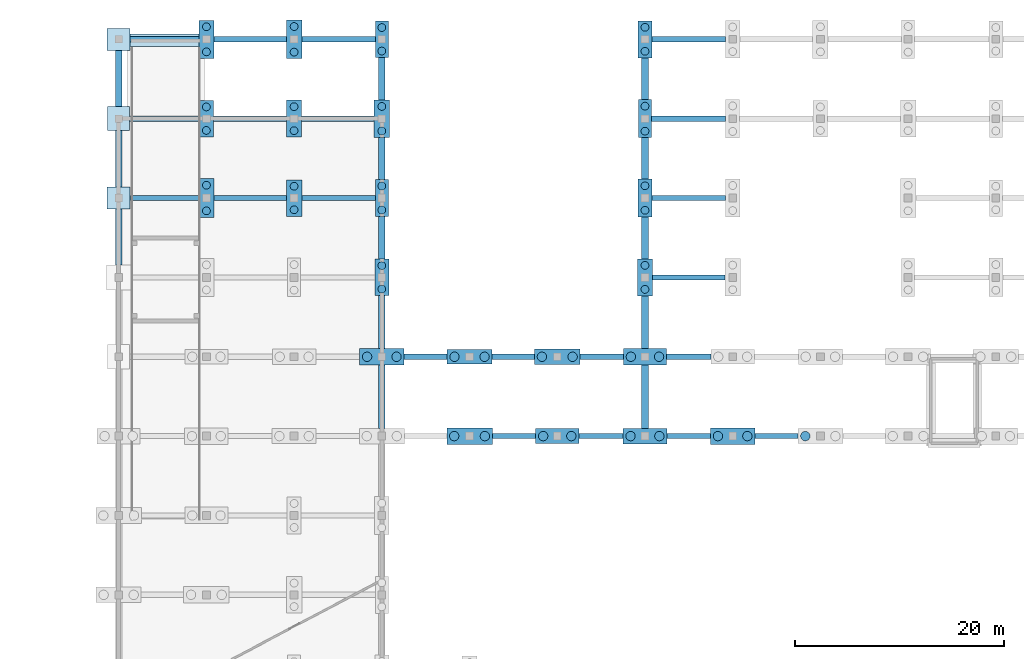
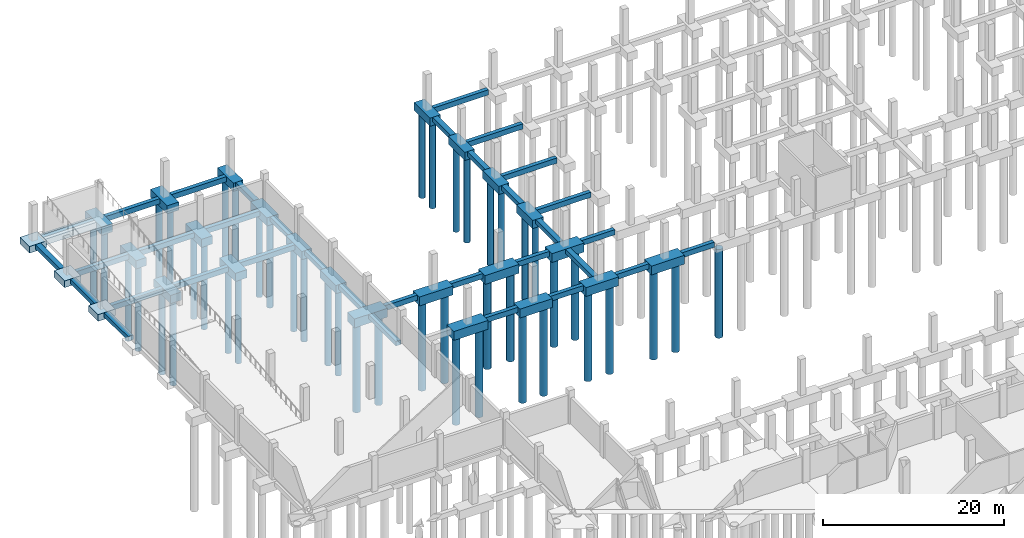
# One storey, part 6 of 22: 60 footings, 45 piles.
"""IFC4 building model written with IfcOpenShell, lengths in metres."""

from ifc_helpers import new_model, si_unit, direction, frame, origin, origin_2d, place, context, subcontext, project, spatial, rectangle, circle, extrude, material, material_profile, profile_set, type_object, element, save


model = new_model("IFC4")

# Units and contexts
model_context = context("Model", 3, precision=1e-05, world=origin(), true_north=direction((0.0, 1.0)))
body_context = subcontext(model_context, "Body", "Model", "MODEL_VIEW")
ifc_project = project(units=[si_unit("LENGTHUNIT", "METRE"), si_unit("AREAUNIT", "SQUARE_METRE"), si_unit("VOLUMEUNIT", "CUBIC_METRE"), si_unit("PLANEANGLEUNIT", "RADIAN"), si_unit("MASSUNIT", "GRAM", prefix="KILO")], contexts=[model_context])

# Site, building, storey
site_placement = place(None, origin())
site = spatial("IfcSite", under=ifc_project, at=site_placement, CompositionType="ELEMENT")
building_placement = place(site_placement, origin())
building = spatial("IfcBuilding", under=site, at=building_placement, Name="Zuvorla Pavilion Media Centre", CompositionType="ELEMENT")
storey_placement = place(building_placement, frame((0.0, 0.0, -4.5)))
storey = spatial("IfcBuildingStorey", under=building, at=storey_placement, Name="B01", CompositionType="ELEMENT", Elevation=-4.5)

# Footings
ifc_material = material(Name="Concrete C40/50", Category="concrete")
footing_type_1 = type_object("IfcFootingType", Name="FT-GB56", PredefinedType="FOOTING_BEAM", material=ifc_material)
footing_1_placement = place(storey_placement, frame((54.260009765625, 82.0, -1.10009765625), z_axis=(0.0, 0.0, 1.0), x_axis=(1.0, 0.0, 0.0)))
element("IfcFooting", 1, at=footing_1_placement, inside=storey, type_object=footing_type_1, Name="Ground beam GB56 132", PredefinedType="FOOTING_BEAM", context=body_context, shape_type="SweptSolid", body=[
    extrude(rectangle(XDim=4.159912109375, YDim=0.5, at=origin_2d()), origin(), (0.0, 0.0, 1.0), 0.699951171875),
])
footing_2_placement = place(storey_placement, frame((62.5849609375, 82.0, -1.10009765625), z_axis=(0.0, 0.0, 1.0), x_axis=(1.0, 0.0, 0.0)))
element("IfcFooting", 2, at=footing_2_placement, inside=storey, type_object=footing_type_1, Name="Ground beam GB56 133", PredefinedType="FOOTING_BEAM", context=body_context, shape_type="SweptSolid", body=[
    extrude(rectangle(XDim=4.25, YDim=0.5, at=origin_2d()), origin(), (0.0, 0.0, 1.0), 0.699951171875),
])
footing_3_placement = place(storey_placement, frame((70.985107421875, 82.0, -1.10009765625), z_axis=(0.0, 0.0, 1.0), x_axis=(1.0, 0.0, 0.0)))
element("IfcFooting", 3, at=footing_3_placement, inside=storey, type_object=footing_type_1, Name="Ground beam GB56 134", PredefinedType="FOOTING_BEAM", context=body_context, shape_type="SweptSolid", body=[
    extrude(rectangle(XDim=4.18994140625, YDim=0.5, at=origin_2d()), origin(), (0.0, 0.0, 1.0), 0.699951171875),
])
for number, where, z_axis, x_axis, name in (
    (4, (79.385009765625, 82.0, -1.10009765625), (0.0, 0.0, 1.0), (1.0, 0.0, 0.0), "Ground beam GB56 135"),
    (5, (45.784912109375, 89.60009765625, -1.10009765625), (0.0, 0.0, 1.0), (1.0, 0.0, 0.0), "Ground beam GB56 149"),
):
    element("IfcFooting", number, at=place(storey_placement, frame(where, z_axis=z_axis, x_axis=x_axis)), inside=storey, type_object=footing_type_1, Name=name, PredefinedType="FOOTING_BEAM", context=body_context, shape_type="SweptSolid", body=[
        extrude(rectangle(XDim=4.1298828125, YDim=0.5, at=origin_2d()), origin(), (0.0, 0.0, 1.0), 0.699951171875),
    ])
footing_4_placement = place(storey_placement, frame((54.18505859375, 89.60009765625, -1.10009765625), z_axis=(0.0, 0.0, 1.0), x_axis=(1.0, 0.0, 0.0)))
element("IfcFooting", 6, at=footing_4_placement, inside=storey, type_object=footing_type_1, Name="Ground beam GB56 150", PredefinedType="FOOTING_BEAM", context=body_context, shape_type="SweptSolid", body=[
    extrude(rectangle(XDim=4.070068359375, YDim=0.5, at=origin_2d()), origin(), (0.0, 0.0, 1.0), 0.699951171875),
])
footing_5_placement = place(storey_placement, frame((62.659912109375, 89.60009765625, -1.10009765625), z_axis=(0.0, 0.0, 1.0), x_axis=(1.0, 0.0, 0.0)))
element("IfcFooting", 7, at=footing_5_placement, inside=storey, type_object=footing_type_1, Name="Ground beam GB56 151", PredefinedType="FOOTING_BEAM", context=body_context, shape_type="SweptSolid", body=[
    extrude(rectangle(XDim=4.159912109375, YDim=0.5, at=origin_2d()), origin(), (0.0, 0.0, 1.0), 0.699951171875),
])
footing_6_placement = place(storey_placement, frame((70.985107421875, 89.60009765625, -1.10009765625), z_axis=(0.0, 0.0, 1.0), x_axis=(1.0, 0.0, 0.0)))
element("IfcFooting", 8, at=footing_6_placement, inside=storey, type_object=footing_type_1, Name="Ground beam GB56 152", PredefinedType="FOOTING_BEAM", context=body_context, shape_type="SweptSolid", body=[
    extrude(rectangle(XDim=4.25, YDim=0.5, at=origin_2d()), origin(), (0.0, 0.0, 1.0), 0.699951171875),
])
footing_7_placement = place(storey_placement, frame((70.97998046875, 97.199951171875, -1.10009765625), z_axis=(0.0, 0.0, 1.0), x_axis=(1.0, 0.0, 0.0)))
element("IfcFooting", 9, at=footing_7_placement, inside=storey, type_object=footing_type_1, Name="Ground beam GB56 166", PredefinedType="FOOTING_BEAM", context=body_context, shape_type="SweptSolid", body=[
    extrude(rectangle(XDim=6.949951171875, YDim=0.5, at=origin_2d()), origin(), (0.0, 0.0, 1.0), 0.699951171875),
])
footing_8_placement = place(storey_placement, frame((20.797607421875, 104.800048828125, -1.10009765625), z_axis=(0.0, 0.0, 1.0), x_axis=(1.0, 0.0, 0.0)))
element("IfcFooting", 10, at=footing_8_placement, inside=storey, type_object=footing_type_1, Name="Ground beam GB56 170", PredefinedType="FOOTING_BEAM", context=body_context, shape_type="SweptSolid", body=[
    extrude(rectangle(XDim=6.594970703125, YDim=0.5, at=origin_2d()), origin(), (0.0, 0.0, 1.0), 0.699951171875),
])
footing_9_placement = place(storey_placement, frame((28.97998046875, 104.800048828125, -1.10009765625), z_axis=(0.0, 0.0, 1.0), x_axis=(1.0, 0.0, 0.0)))
element("IfcFooting", 11, at=footing_9_placement, inside=storey, type_object=footing_type_1, Name="Ground beam GB56 171", PredefinedType="FOOTING_BEAM", context=body_context, shape_type="SweptSolid", body=[
    extrude(rectangle(XDim=6.949951171875, YDim=0.5, at=origin_2d()), origin(), (0.0, 0.0, 1.0), 0.699951171875),
])
for number, where, z_axis, x_axis, name in (
    (12, (37.4599609375, 104.800048828125, -1.10009765625), (0.0, 0.0, 1.0), (1.0, 0.0, 0.0), "Ground beam GB56 172"),
    (13, (70.97998046875, 104.800048828125, -1.10009765625), (0.0, 0.0, 1.0), (1.0, 0.0, 0.0), "Ground beam GB56 173"),
):
    element("IfcFooting", number, at=place(storey_placement, frame(where, z_axis=z_axis, x_axis=x_axis)), inside=storey, type_object=footing_type_1, Name=name, PredefinedType="FOOTING_BEAM", context=body_context, shape_type="SweptSolid", body=[
        extrude(rectangle(XDim=7.030029296875, YDim=0.5, at=origin_2d()), origin(), (0.0, 0.0, 1.0), 0.699951171875),
    ])
footing_10_placement = place(storey_placement, frame((20.79248046875, 112.39990234375, -1.10009765625), z_axis=(0.0, 0.0, 1.0), x_axis=(1.0, 0.0, 0.0)))
element("IfcFooting", 14, at=footing_10_placement, inside=storey, type_object=footing_type_1, Name="Ground beam GB56 177", PredefinedType="FOOTING_BEAM", context=body_context, shape_type="SweptSolid", body=[
    extrude(rectangle(XDim=6.68505859375, YDim=0.5, at=origin_2d()), origin(), (0.0, 0.0, 1.0), 0.699951171875),
])
footing_11_placement = place(storey_placement, frame((28.97998046875, 112.39990234375, -1.10009765625), z_axis=(0.0, 0.0, 1.0), x_axis=(1.0, 0.0, 0.0)))
element("IfcFooting", 15, at=footing_11_placement, inside=storey, type_object=footing_type_1, Name="Ground beam GB56 178", PredefinedType="FOOTING_BEAM", context=body_context, shape_type="SweptSolid", body=[
    extrude(rectangle(XDim=7.030029296875, YDim=0.5, at=origin_2d()), origin(), (0.0, 0.0, 1.0), 0.699951171875),
])
footing_12_placement = place(storey_placement, frame((37.3798828125, 112.39990234375, -1.10009765625), z_axis=(0.0, 0.0, 1.0), x_axis=(1.0, 0.0, 0.0)))
element("IfcFooting", 16, at=footing_12_placement, inside=storey, type_object=footing_type_1, Name="Ground beam GB56 179", PredefinedType="FOOTING_BEAM", context=body_context, shape_type="SweptSolid", body=[
    extrude(rectangle(XDim=6.949951171875, YDim=0.5, at=origin_2d()), origin(), (0.0, 0.0, 1.0), 0.699951171875),
])
footing_13_placement = place(storey_placement, frame((70.97998046875, 112.39990234375, -1.10009765625), z_axis=(0.0, 0.0, 1.0), x_axis=(1.0, 0.0, 0.0)))
element("IfcFooting", 17, at=footing_13_placement, inside=storey, type_object=footing_type_1, Name="Ground beam GB56 180", PredefinedType="FOOTING_BEAM", context=body_context, shape_type="SweptSolid", body=[
    extrude(rectangle(XDim=7.110107421875, YDim=0.5, at=origin_2d()), origin(), (0.0, 0.0, 1.0), 0.699951171875),
])
footing_14_placement = place(storey_placement, frame((20.797607421875, 120.0, -1.10009765625), z_axis=(0.0, 0.0, 1.0), x_axis=(1.0, 0.0, 0.0)))
element("IfcFooting", 18, at=footing_14_placement, inside=storey, type_object=footing_type_1, Name="Ground beam GB56 188", PredefinedType="FOOTING_BEAM", context=body_context, shape_type="SweptSolid", body=[
    extrude(rectangle(XDim=6.594970703125, YDim=0.5, at=origin_2d()), origin(), (0.0, 0.0, 1.0), 0.699951171875),
])
footing_15_placement = place(storey_placement, frame((28.97998046875, 120.0, -1.10009765625), z_axis=(0.0, 0.0, 1.0), x_axis=(1.0, 0.0, 0.0)))
element("IfcFooting", 19, at=footing_15_placement, inside=storey, type_object=footing_type_1, Name="Ground beam GB56 189", PredefinedType="FOOTING_BEAM", context=body_context, shape_type="SweptSolid", body=[
    extrude(rectangle(XDim=6.949951171875, YDim=0.5, at=origin_2d()), origin(), (0.0, 0.0, 1.0), 0.699951171875),
])
for number, where, z_axis, x_axis, name in (
    (20, (37.4599609375, 120.0, -1.10009765625), (0.0, 0.0, 1.0), (1.0, 0.0, 0.0), "Ground beam GB56 190"),
    (21, (70.97998046875, 120.0, -1.10009765625), (0.0, 0.0, 1.0), (1.0, 0.0, 0.0), "Ground beam GB56 191"),
):
    element("IfcFooting", number, at=place(storey_placement, frame(where, z_axis=z_axis, x_axis=x_axis)), inside=storey, type_object=footing_type_1, Name=name, PredefinedType="FOOTING_BEAM", context=body_context, shape_type="SweptSolid", body=[
        extrude(rectangle(XDim=7.030029296875, YDim=0.5, at=origin_2d()), origin(), (0.0, 0.0, 1.0), 0.699951171875),
    ])
footing_type_2 = type_object("IfcFootingType", Name="FT-PC05", PredefinedType="PILE_CAP", material=ifc_material)
footing_16_placement = place(storey_placement, frame((58.39990234375, 89.60009765625, -1.60009765625), z_axis=(0.0, 0.0, 1.0), x_axis=(1.0, 0.0, 0.0)))
element("IfcFooting", 22, at=footing_16_placement, inside=storey, type_object=footing_type_2, Name="Pile cap PC05", PredefinedType="PILE_CAP", context=body_context, shape_type="SweptSolid", body=[
    extrude(rectangle(XDim=4.360107421875, YDim=1.5, at=origin_2d()), origin(), (0.0, 0.0, 1.0), 1.199951171875),
])
footing_type_3 = type_object("IfcFootingType", Name="FT-PC06", PredefinedType="PILE_CAP", material=ifc_material)
footing_17_placement = place(storey_placement, frame((66.800048828125, 89.60009765625, -1.60009765625), z_axis=(0.0, 0.0, 1.0), x_axis=(1.0, 0.0, 0.0)))
element("IfcFooting", 23, at=footing_17_placement, inside=storey, type_object=footing_type_3, Name="Pile cap PC06", PredefinedType="PILE_CAP", context=body_context, shape_type="SweptSolid", body=[
    extrude(rectangle(XDim=4.1201171875, YDim=1.580078125, at=origin_2d()), origin(), (0.0, 0.0, 1.0), 1.199951171875),
])
footing_type_4 = type_object("IfcFootingType", Name="FT-PC15", PredefinedType="PILE_CAP", material=ifc_material)
footing_18_placement = place(storey_placement, frame((50.0, 82.0, -1.60009765625), z_axis=(0.0, 0.0, 1.0), x_axis=(1.0, 0.0, 0.0)))
element("IfcFooting", 24, at=footing_18_placement, inside=storey, type_object=footing_type_4, Name="Pile cap PC15", PredefinedType="PILE_CAP", context=body_context, shape_type="SweptSolid", body=[
    extrude(rectangle(XDim=4.360107421875, YDim=1.580078125, at=origin_2d()), origin(), (0.0, 0.0, 1.0), 1.199951171875),
])
footing_type_5 = type_object("IfcFootingType", Name="FT-PC16", PredefinedType="PILE_CAP", material=ifc_material)
footing_19_placement = place(storey_placement, frame((58.39990234375, 82.0, -1.60009765625), z_axis=(0.0, 0.0, 1.0), x_axis=(1.0, 0.0, 0.0)))
element("IfcFooting", 25, at=footing_19_placement, inside=storey, type_object=footing_type_5, Name="Pile cap PC16", PredefinedType="PILE_CAP", context=body_context, shape_type="SweptSolid", body=[
    extrude(rectangle(XDim=4.1201171875, YDim=1.419921875, at=origin_2d()), origin(), (0.0, 0.0, 1.0), 1.199951171875),
])
footing_type_6 = type_object("IfcFootingType", Name="FT-PC17", PredefinedType="PILE_CAP", material=ifc_material)
footing_20_placement = place(storey_placement, frame((66.800048828125, 82.0, -1.60009765625), z_axis=(0.0, 0.0, 1.0), x_axis=(1.0, 0.0, 0.0)))
element("IfcFooting", 26, at=footing_20_placement, inside=storey, type_object=footing_type_6, Name="Pile cap PC17", PredefinedType="PILE_CAP", context=body_context, shape_type="SweptSolid", body=[
    extrude(rectangle(XDim=4.179931640625, YDim=1.5, at=origin_2d()), origin(), (0.0, 0.0, 1.0), 1.199951171875),
])
footing_type_7 = type_object("IfcFootingType", Name="FT-PC18", PredefinedType="PILE_CAP", material=ifc_material)
for number, where, z_axis, x_axis, name in (
    (27, (75.199951171875, 82.0, -1.60009765625), (0.0, 0.0, 1.0), (1.0, 0.0, 0.0), "Pile cap PC18"),
    (28, (41.60009765625, 89.60009765625, -1.60009765625), (0.0, 0.0, 1.0), (1.0, 0.0, 0.0), "Pile cap PC18"),
):
    element("IfcFooting", number, at=place(storey_placement, frame(where, z_axis=z_axis, x_axis=x_axis)), inside=storey, type_object=footing_type_7, Name=name, PredefinedType="PILE_CAP", context=body_context, shape_type="SweptSolid", body=[
        extrude(rectangle(XDim=4.239990234375, YDim=1.580078125, at=origin_2d()), origin(), (0.0, 0.0, 1.0), 1.199951171875),
    ])
footing_type_8 = type_object("IfcFootingType", Name="FT-PC30", PredefinedType="PILE_CAP", material=ifc_material)
footing_21_placement = place(storey_placement, frame((50.0, 89.60009765625, -1.60009765625), z_axis=(0.0, 0.0, 1.0), x_axis=(1.0, 0.0, 0.0)))
element("IfcFooting", 29, at=footing_21_placement, inside=storey, type_object=footing_type_8, Name="Pile cap PC30", PredefinedType="PILE_CAP", context=body_context, shape_type="SweptSolid", body=[
    extrude(rectangle(XDim=4.300048828125, YDim=1.419921875, at=origin_2d()), origin(), (0.0, 0.0, 1.0), 1.199951171875),
])
footing_type_9 = type_object("IfcFootingType", Name="FT-PC38", PredefinedType="PILE_CAP", material=ifc_material)
footing_22_placement = place(storey_placement, frame((24.800048828125, 120.0, -1.5), z_axis=(0.0, 0.0, 1.0), x_axis=(1.0, 0.0, 0.0)))
element("IfcFooting", 30, at=footing_22_placement, inside=storey, type_object=footing_type_9, Name="Pile cap PC38", PredefinedType="PILE_CAP", context=body_context, shape_type="SweptSolid", body=[
    extrude(rectangle(XDim=1.409912109375, YDim=3.64990234375, at=origin_2d()), origin(), (0.0, 0.0, 1.0), 1.10009765625),
])
footing_type_10 = type_object("IfcFootingType", Name="FT-PC39", PredefinedType="PILE_CAP", material=ifc_material)
footing_23_placement = place(storey_placement, frame((33.199951171875, 120.0, -1.5), z_axis=(0.0, 0.0, 1.0), x_axis=(1.0, 0.0, 0.0)))
element("IfcFooting", 31, at=footing_23_placement, inside=storey, type_object=footing_type_10, Name="Pile cap PC39", PredefinedType="PILE_CAP", context=body_context, shape_type="SweptSolid", body=[
    extrude(rectangle(XDim=1.489990234375, YDim=3.699951171875, at=origin_2d()), origin(), (0.0, 0.0, 1.0), 1.10009765625),
])
footing_type_11 = type_object("IfcFootingType", Name="FT-PC41", PredefinedType="PILE_CAP", material=ifc_material)
footing_24_placement = place(storey_placement, frame((24.800048828125, 104.800048828125, -1.5), z_axis=(0.0, 0.0, 1.0), x_axis=(1.0, 0.0, 0.0)))
element("IfcFooting", 32, at=footing_24_placement, inside=storey, type_object=footing_type_11, Name="Pile cap PC41", PredefinedType="PILE_CAP", context=body_context, shape_type="SweptSolid", body=[
    extrude(rectangle(XDim=1.409912109375, YDim=3.699951171875, at=origin_2d()), origin(), (0.0, 0.0, 1.0), 1.10009765625),
])
footing_type_12 = type_object("IfcFootingType", Name="FT-PC42", PredefinedType="PILE_CAP", material=ifc_material)
footing_25_placement = place(storey_placement, frame((66.800048828125, 112.39990234375, -1.5), z_axis=(0.0, 0.0, 1.0), x_axis=(1.0, 0.0, 0.0)))
element("IfcFooting", 33, at=footing_25_placement, inside=storey, type_object=footing_type_12, Name="Pile cap PC42", PredefinedType="PILE_CAP", context=body_context, shape_type="SweptSolid", body=[
    extrude(rectangle(XDim=1.25, YDim=3.64990234375, at=origin_2d()), origin(), (0.0, 0.0, 1.0), 1.10009765625),
])
footing_type_13 = type_object("IfcFootingType", Name="FT-PC45", PredefinedType="PILE_CAP", material=ifc_material)
footing_26_placement = place(storey_placement, frame((33.199951171875, 104.800048828125, -1.5), z_axis=(0.0, 0.0, 1.0), x_axis=(1.0, 0.0, 0.0)))
element("IfcFooting", 34, at=footing_26_placement, inside=storey, type_object=footing_type_13, Name="Pile cap PC45", PredefinedType="PILE_CAP", context=body_context, shape_type="SweptSolid", body=[
    extrude(rectangle(XDim=1.489990234375, YDim=3.5, at=origin_2d()), origin(), (0.0, 0.0, 1.0), 1.10009765625),
])
footing_type_14 = type_object("IfcFootingType", Name="FT-PC46", PredefinedType="PILE_CAP", material=ifc_material)
footing_27_placement = place(storey_placement, frame((41.60009765625, 104.800048828125, -1.5), z_axis=(0.0, 0.0, 1.0), x_axis=(1.0, 0.0, 0.0)))
element("IfcFooting", 35, at=footing_27_placement, inside=storey, type_object=footing_type_14, Name="Pile cap PC46", PredefinedType="PILE_CAP", context=body_context, shape_type="SweptSolid", body=[
    extrude(rectangle(XDim=1.25, YDim=3.550048828125, at=origin_2d()), origin(), (0.0, 0.0, 1.0), 1.10009765625),
])
footing_type_15 = type_object("IfcFootingType", Name="FT-PC47", PredefinedType="PILE_CAP", material=ifc_material)
footing_28_placement = place(storey_placement, frame((66.800048828125, 120.0, -1.5), z_axis=(0.0, 0.0, 1.0), x_axis=(1.0, 0.0, 0.0)))
element("IfcFooting", 36, at=footing_28_placement, inside=storey, type_object=footing_type_15, Name="Pile cap PC47", PredefinedType="PILE_CAP", context=body_context, shape_type="SweptSolid", body=[
    extrude(rectangle(XDim=1.330078125, YDim=3.550048828125, at=origin_2d()), origin(), (0.0, 0.0, 1.0), 1.10009765625),
])
footing_type_16 = type_object("IfcFootingType", Name="FT-PC49", PredefinedType="PILE_CAP", material=ifc_material)
for number, where, z_axis, x_axis, name in (
    (37, (41.60009765625, 97.199951171875, -1.5), (0.0, 0.0, 1.0), (1.0, 0.0, 0.0), "Pile cap PC49"),
    (38, (24.800048828125, 112.39990234375, -1.5), (0.0, 0.0, 1.0), (1.0, 0.0, 0.0), "Pile cap PC49"),
):
    element("IfcFooting", number, at=place(storey_placement, frame(where, z_axis=z_axis, x_axis=x_axis)), inside=storey, type_object=footing_type_16, Name=name, PredefinedType="PILE_CAP", context=body_context, shape_type="SweptSolid", body=[
        extrude(rectangle(XDim=1.330078125, YDim=3.5, at=origin_2d()), origin(), (0.0, 0.0, 1.0), 1.10009765625),
    ])
footing_type_17 = type_object("IfcFootingType", Name="FT-PC50", PredefinedType="PILE_CAP", material=ifc_material)
for number, where, z_axis, x_axis, name in (
    (39, (66.800048828125, 97.199951171875, -1.5), (0.0, 0.0, 1.0), (1.0, 0.0, 0.0), "Pile cap PC50"),
    (40, (33.199951171875, 112.39990234375, -1.5), (0.0, 0.0, 1.0), (1.0, 0.0, 0.0), "Pile cap PC50"),
):
    element("IfcFooting", number, at=place(storey_placement, frame(where, z_axis=z_axis, x_axis=x_axis)), inside=storey, type_object=footing_type_17, Name=name, PredefinedType="PILE_CAP", context=body_context, shape_type="SweptSolid", body=[
        extrude(rectangle(XDim=1.409912109375, YDim=3.550048828125, at=origin_2d()), origin(), (0.0, 0.0, 1.0), 1.10009765625),
    ])
footing_type_18 = type_object("IfcFootingType", Name="FT-PC51", PredefinedType="PILE_CAP", material=ifc_material)
footing_29_placement = place(storey_placement, frame((41.60009765625, 112.39990234375, -1.5), z_axis=(0.0, 0.0, 1.0), x_axis=(1.0, 0.0, 0.0)))
element("IfcFooting", 41, at=footing_29_placement, inside=storey, type_object=footing_type_18, Name="Pile cap PC51", PredefinedType="PILE_CAP", context=body_context, shape_type="SweptSolid", body=[
    extrude(rectangle(XDim=1.489990234375, YDim=3.60009765625, at=origin_2d()), origin(), (0.0, 0.0, 1.0), 1.10009765625),
])
footing_type_19 = type_object("IfcFootingType", Name="FT-PC54", PredefinedType="PILE_CAP", material=ifc_material)
footing_30_placement = place(storey_placement, frame((66.800048828125, 104.800048828125, -1.5), z_axis=(0.0, 0.0, 1.0), x_axis=(1.0, 0.0, 0.0)))
element("IfcFooting", 42, at=footing_30_placement, inside=storey, type_object=footing_type_19, Name="Pile cap PC54", PredefinedType="PILE_CAP", context=body_context, shape_type="SweptSolid", body=[
    extrude(rectangle(XDim=1.330078125, YDim=3.60009765625, at=origin_2d()), origin(), (0.0, 0.0, 1.0), 1.10009765625),
])
footing_type_20 = type_object("IfcFootingType", Name="FT-PC55", PredefinedType="PILE_CAP", material=ifc_material)
footing_31_placement = place(storey_placement, frame((41.60009765625, 120.0, -1.5), z_axis=(0.0, 0.0, 1.0), x_axis=(1.0, 0.0, 0.0)))
element("IfcFooting", 43, at=footing_31_placement, inside=storey, type_object=footing_type_20, Name="Pile cap PC55", PredefinedType="PILE_CAP", context=body_context, shape_type="SweptSolid", body=[
    extrude(rectangle(XDim=1.25, YDim=3.5, at=origin_2d()), origin(), (0.0, 0.0, 1.0), 1.10009765625),
])
footing_type_21 = type_object("IfcFootingType", Name="FT-PF02", PredefinedType="PAD_FOOTING", material=ifc_material)
for number, where, z_axis, x_axis, name in (
    (44, (16.39990234375, 104.800048828125, -1.300048828125), (0.0, 0.0, 1.0), (1.0, 0.0, 0.0), "Pad footing PF02"),
    (45, (16.39990234375, 120.0, -1.300048828125), (0.0, 0.0, 1.0), (1.0, 0.0, 0.0), "Pad footing PF02"),
):
    element("IfcFooting", number, at=place(storey_placement, frame(where, z_axis=z_axis, x_axis=x_axis)), inside=storey, type_object=footing_type_21, Name=name, PredefinedType="PAD_FOOTING", context=body_context, shape_type="SweptSolid", body=[
        extrude(rectangle(XDim=2.199951171875, YDim=2.10009765625, at=origin_2d()), origin(), (0.0, 0.0, 1.0), 0.89990234375),
    ])
footing_type_22 = type_object("IfcFootingType", Name="FT-PF21", PredefinedType="PAD_FOOTING", material=ifc_material)
footing_32_placement = place(storey_placement, frame((16.39990234375, 112.39990234375, -1.300048828125), z_axis=(0.0, 0.0, 1.0), x_axis=(1.0, 0.0, 0.0)))
element("IfcFooting", 46, at=footing_32_placement, inside=storey, type_object=footing_type_22, Name="Pad footing PF21", PredefinedType="PAD_FOOTING", context=body_context, shape_type="SweptSolid", body=[
    extrude(rectangle(XDim=2.10009765625, YDim=2.300048828125, at=origin_2d()), origin(), (0.0, 0.0, 1.0), 0.89990234375),
])
footing_type_23 = type_object("IfcFootingType", Name="FT-SF-COR", PredefinedType="STRIP_FOOTING", material=ifc_material)
footing_33_placement = place(storey_placement, frame((20.89990234375, 119.89990234375, -1.2001953125), z_axis=(0.0, 0.0, 1.0), x_axis=(1.0, 0.0, 0.0)))
element("IfcFooting", 47, at=footing_33_placement, inside=storey, type_object=footing_type_23, Name="Ramp north bearing strip footing", PredefinedType="STRIP_FOOTING", context=body_context, shape_type="SweptSolid", body=[
    extrude(rectangle(XDim=7.39990234375, YDim=1.199951171875, at=origin_2d()), origin(), (0.0, 0.0, 1.0), 0.800048828125),
])
footing_type_24 = type_object("IfcFootingType", Name="FT-SF57", PredefinedType="STRIP_FOOTING", material=ifc_material)
footing_34_placement = place(storey_placement, frame((16.39990234375, 101.074951171875, -1.0), z_axis=(0.0, 0.0, 1.0), x_axis=(0.0, 1.0, 0.0)))
element("IfcFooting", 48, at=footing_34_placement, inside=storey, type_object=footing_type_24, Name="Strip footing SF57 9", PredefinedType="STRIP_FOOTING", context=body_context, shape_type="SweptSolid", body=[
    extrude(rectangle(XDim=5.35009765625, YDim=0.64990234375, at=origin_2d()), origin(), (0.0, 0.0, 1.0), 0.60009765625),
])
for number, where, z_axis, x_axis, name in (
    (49, (16.39990234375, 108.550048828125, -1.0), (0.0, 0.0, 1.0), (0.0, 1.0, 0.0), "Strip footing SF57 10"),
    (50, (16.39990234375, 116.25, -1.0), (0.0, 0.0, 1.0), (0.0, 1.0, 0.0), "Strip footing SF57 11"),
):
    element("IfcFooting", number, at=place(storey_placement, frame(where, z_axis=z_axis, x_axis=x_axis)), inside=storey, type_object=footing_type_24, Name=name, PredefinedType="STRIP_FOOTING", context=body_context, shape_type="SweptSolid", body=[
        extrude(rectangle(XDim=5.39990234375, YDim=0.64990234375, at=origin_2d()), origin(), (0.0, 0.0, 1.0), 0.60009765625),
    ])
footing_35_placement = place(storey_placement, frame((41.60009765625, 85.780029296875, -1.0), z_axis=(0.0, 0.0, 1.0), x_axis=(0.0, 1.0, 0.0)))
element("IfcFooting", 51, at=footing_35_placement, inside=storey, type_object=footing_type_24, Name="Strip footing SF57 22", PredefinedType="STRIP_FOOTING", context=body_context, shape_type="SweptSolid", body=[
    extrude(rectangle(XDim=6.06005859375, YDim=0.64990234375, at=origin_2d()), origin(), (0.0, 0.0, 1.0), 0.60009765625),
])
footing_36_placement = place(storey_placement, frame((41.60009765625, 92.919921875, -1.0), z_axis=(0.0, 0.0, 1.0), x_axis=(0.0, 1.0, 0.0)))
element("IfcFooting", 52, at=footing_36_placement, inside=storey, type_object=footing_type_24, Name="Strip footing SF57 23", PredefinedType="STRIP_FOOTING", context=body_context, shape_type="SweptSolid", body=[
    extrude(rectangle(XDim=5.06005859375, YDim=0.64990234375, at=origin_2d()), origin(), (0.0, 0.0, 1.0), 0.60009765625),
])
footing_37_placement = place(storey_placement, frame((41.60009765625, 100.987548828125, -1.0), z_axis=(0.0, 0.0, 1.0), x_axis=(0.0, 1.0, 0.0)))
element("IfcFooting", 53, at=footing_37_placement, inside=storey, type_object=footing_type_24, Name="Strip footing SF57 24", PredefinedType="STRIP_FOOTING", context=body_context, shape_type="SweptSolid", body=[
    extrude(rectangle(XDim=4.074951171875, YDim=0.64990234375, at=origin_2d()), origin(), (0.0, 0.0, 1.0), 0.60009765625),
])
footing_38_placement = place(storey_placement, frame((41.60009765625, 108.58740234375, -1.0), z_axis=(0.0, 0.0, 1.0), x_axis=(0.0, 1.0, 0.0)))
element("IfcFooting", 54, at=footing_38_placement, inside=storey, type_object=footing_type_24, Name="Strip footing SF57 25", PredefinedType="STRIP_FOOTING", context=body_context, shape_type="SweptSolid", body=[
    extrude(rectangle(XDim=4.02490234375, YDim=0.64990234375, at=origin_2d()), origin(), (0.0, 0.0, 1.0), 0.60009765625),
])
footing_39_placement = place(storey_placement, frame((41.60009765625, 116.22509765625, -1.0), z_axis=(0.0, 0.0, 1.0), x_axis=(0.0, 1.0, 0.0)))
element("IfcFooting", 55, at=footing_39_placement, inside=storey, type_object=footing_type_24, Name="Strip footing SF57 26", PredefinedType="STRIP_FOOTING", context=body_context, shape_type="SweptSolid", body=[
    extrude(rectangle(XDim=4.050048828125, YDim=0.64990234375, at=origin_2d()), origin(), (0.0, 0.0, 1.0), 0.60009765625),
])
footing_40_placement = place(storey_placement, frame((66.800048828125, 85.780029296875, -1.0), z_axis=(0.0, 0.0, 1.0), x_axis=(0.0, 1.0, 0.0)))
element("IfcFooting", 56, at=footing_40_placement, inside=storey, type_object=footing_type_24, Name="Strip footing SF57 33", PredefinedType="STRIP_FOOTING", context=body_context, shape_type="SweptSolid", body=[
    extrude(rectangle(XDim=6.06005859375, YDim=0.64990234375, at=origin_2d()), origin(), (0.0, 0.0, 1.0), 0.60009765625),
])
footing_41_placement = place(storey_placement, frame((66.800048828125, 92.907470703125, -1.0), z_axis=(0.0, 0.0, 1.0), x_axis=(0.0, 1.0, 0.0)))
element("IfcFooting", 57, at=footing_41_placement, inside=storey, type_object=footing_type_24, Name="Strip footing SF57 34", PredefinedType="STRIP_FOOTING", context=body_context, shape_type="SweptSolid", body=[
    extrude(rectangle(XDim=5.034912109375, YDim=0.64990234375, at=origin_2d()), origin(), (0.0, 0.0, 1.0), 0.60009765625),
])
footing_42_placement = place(storey_placement, frame((66.800048828125, 100.987548828125, -1.0), z_axis=(0.0, 0.0, 1.0), x_axis=(0.0, 1.0, 0.0)))
element("IfcFooting", 58, at=footing_42_placement, inside=storey, type_object=footing_type_24, Name="Strip footing SF57 35", PredefinedType="STRIP_FOOTING", context=body_context, shape_type="SweptSolid", body=[
    extrude(rectangle(XDim=4.02490234375, YDim=0.64990234375, at=origin_2d()), origin(), (0.0, 0.0, 1.0), 0.60009765625),
])
footing_43_placement = place(storey_placement, frame((66.800048828125, 108.58740234375, -1.0), z_axis=(0.0, 0.0, 1.0), x_axis=(0.0, 1.0, 0.0)))
element("IfcFooting", 59, at=footing_43_placement, inside=storey, type_object=footing_type_24, Name="Strip footing SF57 36", PredefinedType="STRIP_FOOTING", context=body_context, shape_type="SweptSolid", body=[
    extrude(rectangle(XDim=3.97509765625, YDim=0.64990234375, at=origin_2d()), origin(), (0.0, 0.0, 1.0), 0.60009765625),
])
footing_44_placement = place(storey_placement, frame((66.800048828125, 116.22509765625, -1.0), z_axis=(0.0, 0.0, 1.0), x_axis=(0.0, 1.0, 0.0)))
element("IfcFooting", 60, at=footing_44_placement, inside=storey, type_object=footing_type_24, Name="Strip footing SF57 37", PredefinedType="STRIP_FOOTING", context=body_context, shape_type="SweptSolid", body=[
    extrude(rectangle(XDim=4.0, YDim=0.64990234375, at=origin_2d()), origin(), (0.0, 0.0, 1.0), 0.60009765625),
])

# Piles
ifc_material_profile_1 = material_profile(ifc_material, circle(Radius=0.375, at=origin_2d()), Name="BORED PILE 750")
ifc_profile_set_1 = profile_set([ifc_material_profile_1], Name="Concrete C40/50")
pile_type_1 = type_object("IfcPileType", Name="PIL-D750", PredefinedType="BORED", material=ifc_profile_set_1)
for number, where, z_axis, x_axis, name in (
    (61, (41.60009765625, 96.074951171875, -1.39990234375), (0.0, 0.0, -1.0), (1.0, 0.0, 0.0), "Bored pile P75 433"),
    (62, (41.60009765625, 98.324951171875, -1.39990234375), (0.0, 0.0, -1.0), (1.0, 0.0, 0.0), "Bored pile P75 434"),
    (63, (66.800048828125, 96.050048828125, -1.39990234375), (0.0, 0.0, -1.0), (1.0, 0.0, 0.0), "Bored pile P75 435"),
    (64, (66.800048828125, 98.35009765625, -1.39990234375), (0.0, 0.0, -1.0), (1.0, 0.0, 0.0), "Bored pile P75 436"),
    (65, (24.800048828125, 103.574951171875, -1.39990234375), (0.0, 0.0, -1.0), (1.0, 0.0, 0.0), "Bored pile P75 449"),
    (66, (24.800048828125, 106.02490234375, -1.39990234375), (0.0, 0.0, -1.0), (1.0, 0.0, 0.0), "Bored pile P75 450"),
    (67, (33.199951171875, 103.675048828125, -1.39990234375), (0.0, 0.0, -1.0), (1.0, 0.0, 0.0), "Bored pile P75 451"),
    (68, (33.199951171875, 105.925048828125, -1.39990234375), (0.0, 0.0, -1.0), (1.0, 0.0, 0.0), "Bored pile P75 452"),
    (69, (41.60009765625, 103.64990234375, -1.39990234375), (0.0, 0.0, -1.0), (1.0, 0.0, 0.0), "Bored pile P75 453"),
    (70, (41.60009765625, 105.949951171875, -1.39990234375), (0.0, 0.0, -1.0), (1.0, 0.0, 0.0), "Bored pile P75 454"),
    (71, (66.800048828125, 103.625, -1.39990234375), (0.0, 0.0, -1.0), (1.0, 0.0, 0.0), "Bored pile P75 455"),
    (72, (66.800048828125, 105.97509765625, -1.39990234375), (0.0, 0.0, -1.0), (1.0, 0.0, 0.0), "Bored pile P75 456"),
    (73, (24.800048828125, 111.27490234375, -1.39990234375), (0.0, 0.0, -1.0), (1.0, 0.0, 0.0), "Bored pile P75 469"),
    (74, (24.800048828125, 113.52490234375, -1.39990234375), (0.0, 0.0, -1.0), (1.0, 0.0, 0.0), "Bored pile P75 470"),
    (75, (33.199951171875, 111.25, -1.39990234375), (0.0, 0.0, -1.0), (1.0, 0.0, 0.0), "Bored pile P75 471"),
    (76, (33.199951171875, 113.550048828125, -1.39990234375), (0.0, 0.0, -1.0), (1.0, 0.0, 0.0), "Bored pile P75 472"),
    (77, (41.60009765625, 111.22509765625, -1.39990234375), (0.0, 0.0, -1.0), (1.0, 0.0, 0.0), "Bored pile P75 473"),
    (78, (41.60009765625, 113.574951171875, -1.39990234375), (0.0, 0.0, -1.0), (1.0, 0.0, 0.0), "Bored pile P75 474"),
    (79, (66.800048828125, 111.199951171875, -1.39990234375), (0.0, 0.0, -1.0), (1.0, 0.0, 0.0), "Bored pile P75 475"),
    (80, (66.800048828125, 113.60009765625, -1.39990234375), (0.0, 0.0, -1.0), (1.0, 0.0, 0.0), "Bored pile P75 476"),
    (81, (24.800048828125, 118.800048828125, -1.39990234375), (0.0, 0.0, -1.0), (1.0, 0.0, 0.0), "Bored pile P75 493"),
    (82, (24.800048828125, 121.199951171875, -1.39990234375), (0.0, 0.0, -1.0), (1.0, 0.0, 0.0), "Bored pile P75 494"),
    (83, (33.199951171875, 118.77490234375, -1.39990234375), (0.0, 0.0, -1.0), (1.0, 0.0, 0.0), "Bored pile P75 495"),
    (84, (33.199951171875, 121.22509765625, -1.39990234375), (0.0, 0.0, -1.0), (1.0, 0.0, 0.0), "Bored pile P75 496"),
    (85, (41.60009765625, 118.875, -1.39990234375), (0.0, 0.0, -1.0), (1.0, 0.0, 0.0), "Bored pile P75 497"),
    (86, (41.60009765625, 121.125, -1.39990234375), (0.0, 0.0, -1.0), (1.0, 0.0, 0.0), "Bored pile P75 498"),
    (87, (66.800048828125, 118.85009765625, -1.39990234375), (0.0, 0.0, -1.0), (1.0, 0.0, 0.0), "Bored pile P75 499"),
    (88, (66.800048828125, 121.14990234375, -1.39990234375), (0.0, 0.0, -1.0), (1.0, 0.0, 0.0), "Bored pile P75 500"),
):
    element("IfcPile", number, at=place(storey_placement, frame(where, z_axis=z_axis, x_axis=x_axis)), inside=storey, type_object=pile_type_1, Name=name, PredefinedType="BORED", context=body_context, shape_type="SweptSolid", body=[
        extrude(circle(Radius=0.375, at=origin_2d()), origin(), (0.0, 0.0, 1.0), 11.60009765625),
    ])
ifc_material_profile_2 = material_profile(ifc_material, circle(Radius=0.449951171875, at=origin_2d()), Name="BORED PILE 900")
ifc_profile_set_2 = profile_set([ifc_material_profile_2], Name="Concrete C40/50")
pile_type_2 = type_object("IfcPileType", Name="PIL-D900", PredefinedType="BORED", material=ifc_profile_set_2)
for number, where, z_axis, x_axis, name in (
    (89, (48.530029296875, 82.0, -1.5), (0.0, 0.0, -1.0), (1.0, 0.0, 0.0), "Bored pile P90 365"),
    (90, (51.469970703125, 82.0, -1.5), (0.0, 0.0, -1.0), (1.0, 0.0, 0.0), "Bored pile P90 366"),
    (91, (57.050048828125, 82.0, -1.5), (0.0, 0.0, -1.0), (1.0, 0.0, 0.0), "Bored pile P90 367"),
    (92, (59.75, 82.0, -1.5), (0.0, 0.0, -1.0), (1.0, 0.0, 0.0), "Bored pile P90 368"),
    (93, (65.419921875, 82.0, -1.5), (0.0, 0.0, -1.0), (1.0, 0.0, 0.0), "Bored pile P90 369"),
    (94, (68.179931640625, 82.0, -1.5), (0.0, 0.0, -1.0), (1.0, 0.0, 0.0), "Bored pile P90 370"),
    (95, (73.7900390625, 82.0, -1.5), (0.0, 0.0, -1.0), (1.0, 0.0, 0.0), "Bored pile P90 371"),
    (96, (76.610107421875, 82.0, -1.5), (0.0, 0.0, -1.0), (1.0, 0.0, 0.0), "Bored pile P90 372"),
    (97, (82.159912109375, 82.0, -1.5), (0.0, 0.0, -1.0), (1.0, 0.0, 0.0), "Bored pile P90 373"),
    (98, (40.18994140625, 89.60009765625, -1.5), (0.0, 0.0, -1.0), (1.0, 0.0, 0.0), "Bored pile P90 399"),
    (99, (43.010009765625, 89.60009765625, -1.5), (0.0, 0.0, -1.0), (1.0, 0.0, 0.0), "Bored pile P90 400"),
    (100, (48.56005859375, 89.60009765625, -1.5), (0.0, 0.0, -1.0), (1.0, 0.0, 0.0), "Bored pile P90 401"),
    (101, (51.43994140625, 89.60009765625, -1.5), (0.0, 0.0, -1.0), (1.0, 0.0, 0.0), "Bored pile P90 402"),
    (102, (56.929931640625, 89.60009765625, -1.5), (0.0, 0.0, -1.0), (1.0, 0.0, 0.0), "Bored pile P90 403"),
    (103, (59.8701171875, 89.60009765625, -1.5), (0.0, 0.0, -1.0), (1.0, 0.0, 0.0), "Bored pile P90 404"),
    (104, (65.449951171875, 89.60009765625, -1.5), (0.0, 0.0, -1.0), (1.0, 0.0, 0.0), "Bored pile P90 405"),
    (105, (68.14990234375, 89.60009765625, -1.5), (0.0, 0.0, -1.0), (1.0, 0.0, 0.0), "Bored pile P90 406"),
):
    element("IfcPile", number, at=place(storey_placement, frame(where, z_axis=z_axis, x_axis=x_axis)), inside=storey, type_object=pile_type_2, Name=name, PredefinedType="BORED", context=body_context, shape_type="SweptSolid", body=[
        extrude(circle(Radius=0.449951171875, at=origin_2d()), origin(), (0.0, 0.0, 1.0), 12.0),
    ])

save(model, "model.ifc")
